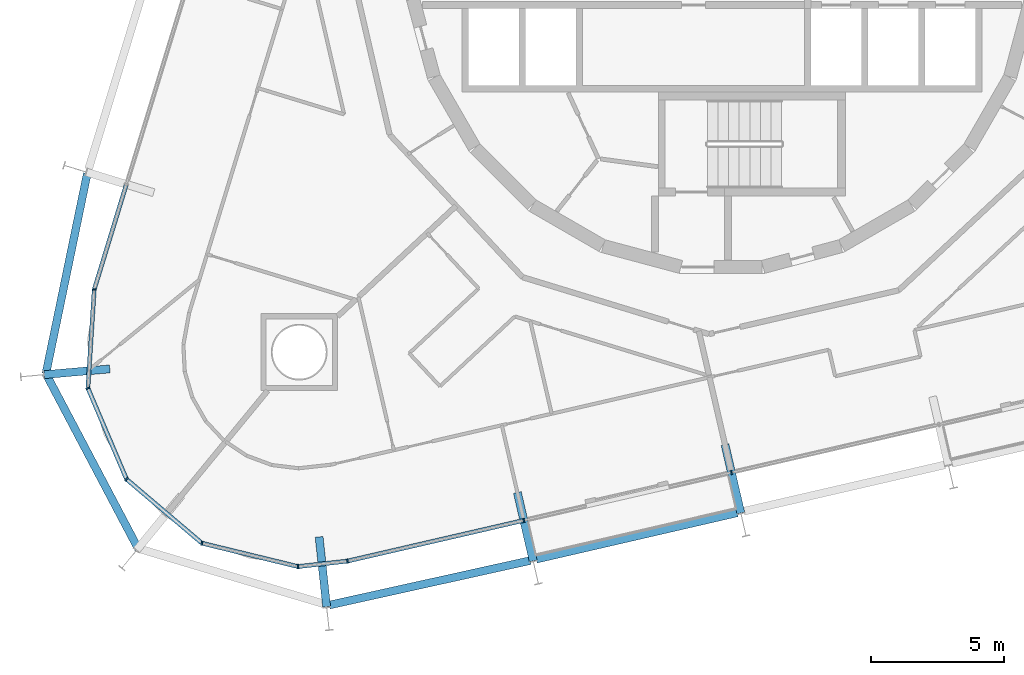
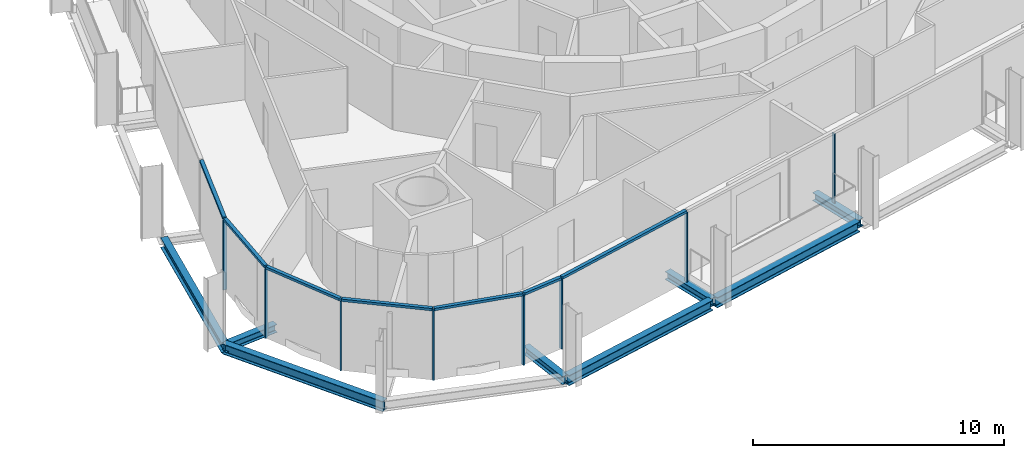
# One storey, part 3 of 18: 15 members, 8 beams, 2 elements without a shape of their own.
"""IFC4 building model written with IfcOpenShell, lengths in metres."""

import ifcopenshell
import ifcopenshell.guid

model = None  # the IFC model being written
_history = None  # IfcOwnerHistory: only IFC2X3 demands one
_inside = {}  # id of a spatial element -> (the spatial element, [elements in it])
_under = {}  # id of a project, library or spatial element -> (it, [spatial elements below it])
_declared = {}  # id of a project -> (the project, [libraries it declares])
_typed = {}  # id of a type object -> (the type object, [elements of that type])
_made_of = {}  # id of a material, layer set ... -> (it, [elements and type objects made of it])


def new_model(schema):
    """Start an empty IFC model of exactly this schema.

    Asked for "IFC4X3", IfcOpenShell would pick the latest addendum, in which some entities
    have other attributes; the version numbers below select the first issue.
    IFC2X3 requires an IfcOwnerHistory on every rooted entity: one is made here for all.
    """
    global model, _history
    if schema == "IFC4X3":
        model = ifcopenshell.file(schema_version=(4, 3, 0, 0))
    else:
        model = ifcopenshell.file(schema=schema)
    _inside.clear()
    _under.clear()
    _declared.clear()
    _typed.clear()
    _made_of.clear()
    _history = None
    if model.schema == "IFC2X3":
        org = make("IfcOrganization", Name="unknown")
        user = make(
            "IfcPersonAndOrganization",
            ThePerson=make("IfcPerson", FamilyName="unknown"),
            TheOrganization=org,
        )
        app = make(
            "IfcApplication",
            ApplicationDeveloper=org,
            Version="unknown",
            ApplicationFullName="unknown",
            ApplicationIdentifier="unknown",
        )
        _history = make(
            "IfcOwnerHistory",
            OwningUser=user,
            OwningApplication=app,
            ChangeAction="ADDED",
            CreationDate=0,
        )
    return model


def make(cls, **values):
    """One entity of the class cls with the attributes given. An attribute that is None is left unset."""
    return model.create_entity(
        cls, **{name: value for name, value in values.items() if value is not None}
    )


def rooted(cls, **values):
    """An entity with a GlobalId (a new one), such as an element, a storey or a relation."""
    return make(cls, GlobalId=ifcopenshell.guid.new(), OwnerHistory=_history, **values)


def si_unit(unit_type, name, prefix=None):
    """IfcSIUnit, for example si_unit("LENGTHUNIT", "METRE", prefix="MILLI")."""
    return make("IfcSIUnit", UnitType=unit_type, Prefix=prefix, Name=name)


def assignment(units):
    """IfcUnitAssignment: the units of a project."""
    return None if units is None else make("IfcUnitAssignment", Units=units)


def point(xyz):
    """IfcCartesianPoint."""
    return None if xyz is None else make("IfcCartesianPoint", Coordinates=xyz)


def direction(xyz):
    """IfcDirection."""
    return None if xyz is None else make("IfcDirection", DirectionRatios=xyz)


def frame(location, z_axis=None, x_axis=None):
    """IfcAxis2Placement3D, a coordinate frame: its origin and axes. An axis left out is left unset."""
    return make(
        "IfcAxis2Placement3D",
        Location=point(location),
        Axis=direction(z_axis),
        RefDirection=direction(x_axis),
    )


def frame_2d(location, x_axis=None):
    """IfcAxis2Placement2D, a coordinate frame in the plane: its origin and x axis."""
    return make(
        "IfcAxis2Placement2D", Location=point(location), RefDirection=direction(x_axis)
    )


def origin():
    """The frame at (0, 0, 0) with its axes left unset."""
    return frame((0.0, 0.0, 0.0))


def origin_2d():
    """The frame at (0, 0) in the plane with its x axis left unset."""
    return frame_2d((0.0, 0.0))


def place(relative_to, where):
    """IfcLocalPlacement: puts the frame where relative to a parent placement (None: the world)."""
    return make(
        "IfcLocalPlacement", PlacementRelTo=relative_to, RelativePlacement=where
    )


def context(
    kind, dimensions, precision=None, world=None, true_north=None, identifier=None
):
    """IfcGeometricRepresentationContext, for example the 3D "Model" context."""
    return make(
        "IfcGeometricRepresentationContext",
        ContextIdentifier=identifier,
        ContextType=kind,
        CoordinateSpaceDimension=dimensions,
        Precision=precision,
        WorldCoordinateSystem=world,
        TrueNorth=true_north,
    )


def subcontext(parent, identifier, kind, view, scale=None):
    """IfcGeometricRepresentationSubContext, for example "Body" below "Model"."""
    return make(
        "IfcGeometricRepresentationSubContext",
        ContextIdentifier=identifier,
        ContextType=kind,
        ParentContext=parent,
        TargetScale=scale,
        TargetView=view,
    )


def project(units=None, contexts=None):
    """IfcProject with its units and contexts."""
    return rooted(
        "IfcProject",
        Name="project",
        RepresentationContexts=contexts,
        UnitsInContext=assignment(units),
    )


def spatial(cls, under=None, at=None, **own):
    """A site, building, storey or space (cls), placed at a placement, below another one or the project."""
    s = rooted(cls, ObjectPlacement=at, **own)
    if under is not None:
        _under.setdefault(under.id(), (under, []))[1].append(s)
    return s


def profile(cls, at=None, kind="AREA", **sizes):
    """A parametric profile (cls). Its sizes go by their IFC names, for example OverallWidth=200.0."""
    return make(cls, ProfileType=kind, Position=at, **sizes)


def rectangle(**sizes):
    """IfcRectangleProfileDef."""
    return profile("IfcRectangleProfileDef", **sizes)


def i_section(**sizes):
    """IfcIShapeProfileDef."""
    return profile("IfcIShapeProfileDef", **sizes)


def extrude(swept, where, along, depth):
    """IfcExtrudedAreaSolid: the profile swept, set in the frame where, extruded along a direction by depth."""
    return make(
        "IfcExtrudedAreaSolid",
        SweptArea=swept,
        Position=where,
        ExtrudedDirection=direction(along),
        Depth=depth,
    )


def shape(context_of_items, identifier, shape_type, items):
    """IfcShapeRepresentation: the items that make up one representation, for example the "Body"."""
    return make(
        "IfcShapeRepresentation",
        ContextOfItems=context_of_items,
        RepresentationIdentifier=identifier,
        RepresentationType=shape_type,
        Items=items,
    )


def material(Name=None, Category=None):
    """IfcMaterial."""
    return make("IfcMaterial", Name=Name, Category=Category)


def layer(
    of_material, thickness, ventilated=None, Name=None, Category=None, Priority=None
):
    """IfcMaterialLayer: one layer of a wall or slab, of a material (None: an air gap)."""
    return make(
        "IfcMaterialLayer",
        Material=of_material,
        LayerThickness=thickness,
        IsVentilated=ventilated,
        Name=Name,
        Category=Category,
        Priority=Priority,
    )


def layer_set(layers, Name=None):
    """IfcMaterialLayerSet."""
    return make("IfcMaterialLayerSet", MaterialLayers=layers, LayerSetName=Name)


def material_profile(
    of_material, cross_section, Name=None, Category=None, Priority=None
):
    """IfcMaterialProfile: a cross section and its material."""
    return make(
        "IfcMaterialProfile",
        Name=Name,
        Material=of_material,
        Profile=cross_section,
        Priority=Priority,
        Category=Category,
    )


def profile_set(profiles, Name=None, composite=None):
    """IfcMaterialProfileSet."""
    return make(
        "IfcMaterialProfileSet",
        Name=Name,
        MaterialProfiles=profiles,
        CompositeProfile=composite,
    )


def made_of(thing, what):
    """Note that an element or type object is made of a material, layer set ...; save() writes the relation."""
    if what is not None:
        _made_of.setdefault(what.id(), (what, []))[1].append(thing)
    return thing


def type_object(cls, material=None, **own):
    """A type object (cls), such as IfcWallType, which elements share."""
    return made_of(rooted(cls, **own), material)


def element(
    cls,
    number,
    at=None,
    inside=None,
    cuts=None,
    type_object=None,
    material=None,
    context=None,
    identifier="Body",
    shape_type=None,
    held_by="IfcProductDefinitionShape",
    body=None,
    shapes=None,
    **own,
):
    """One element of the class cls, such as IfcWall. Its Tag is "e" and its number.

    at: its placement. inside: the storey or other place that contains it. cuts: it is an
    opening in that element (IfcRelVoidsElement). A single representation is given by context,
    identifier, shape_type and body (its items); several are given by shapes. held_by: the class
    of the entity that holds the representations. save() writes the other relations.
    """
    e = rooted(cls, Tag="e%d" % number, ObjectPlacement=at, **own)
    if body is not None:
        shapes = [shape(context, identifier, shape_type, body)]
    if shapes is not None:
        e.Representation = make(held_by, Representations=shapes)
    if inside is not None:
        _inside.setdefault(inside.id(), (inside, []))[1].append(e)
    if cuts is not None:
        rooted(
            "IfcRelVoidsElement", RelatingBuildingElement=cuts, RelatedOpeningElement=e
        )
    if type_object is not None:
        _typed.setdefault(type_object.id(), (type_object, []))[1].append(e)
    return made_of(e, material)


def aggregate(whole, parts):
    """IfcRelAggregates: a whole, such as a stair, and the parts it consists of."""
    return rooted("IfcRelAggregates", RelatingObject=whole, RelatedObjects=parts)


def save(model, path):
    """Write the relations noted so far, then the file.

    IfcRelAggregates (storeys below a building ...), IfcRelContainedInSpatialStructure (elements
    in a storey), IfcRelDefinesByType, IfcRelAssociatesMaterial and IfcRelDeclares: one each for
    every whole, place, type object, material and project.
    """
    for whole, parts in _under.values():
        aggregate(whole, parts)
    for where, things in _inside.values():
        rooted(
            "IfcRelContainedInSpatialStructure",
            RelatedElements=things,
            RelatingStructure=where,
        )
    for kind, things in _typed.values():
        rooted("IfcRelDefinesByType", RelatedObjects=things, RelatingType=kind)
    for what, things in _made_of.values():
        rooted("IfcRelAssociatesMaterial", RelatedObjects=things, RelatingMaterial=what)
    for by, libraries in _declared.values():
        rooted("IfcRelDeclares", RelatingContext=by, RelatedDefinitions=libraries)
    model.write(path)


model = new_model("IFC4")

# Units and contexts
model_context = context("Model", 3, precision=1e-05, world=origin(), true_north=direction((0.0, 1.0)))
body_context = subcontext(model_context, "Body", "Model", "MODEL_VIEW")
ifc_project = project(units=[si_unit("LENGTHUNIT", "METRE"), si_unit("AREAUNIT", "SQUARE_METRE"), si_unit("VOLUMEUNIT", "CUBIC_METRE"), si_unit("PLANEANGLEUNIT", "RADIAN"), si_unit("MASSUNIT", "GRAM", prefix="KILO")], contexts=[model_context])

# Site, building, storey
site_placement = place(None, origin())
site = spatial("IfcSite", under=ifc_project, at=site_placement, CompositionType="ELEMENT")
building_placement = place(site_placement, origin())
building = spatial("IfcBuilding", under=site, at=building_placement, Name="Spindle Arch Residences", CompositionType="ELEMENT")
storey_placement = place(building_placement, frame((0.0, 0.0, 134.39990234375)))
storey = spatial("IfcBuildingStorey", under=building, at=storey_placement, Name="L33", CompositionType="ELEMENT", Elevation=134.39990234375)

# Curtain wall, members
ifc_material_1 = material(Name="Aluminium bronze unitised frame with tinted glass", Category="aluminium")
ifc_layer_1 = layer(ifc_material_1, 0.159912109375)
ifc_layer_set_1 = layer_set([ifc_layer_1], Name="CW-D corner wall on the fillet arcs")
curtain_wall_type_1 = type_object("IfcCurtainWallType", Name="CW-D corner wall on the fillet arcs", PredefinedType="NOTDEFINED", material=ifc_layer_set_1)
curtain_wall_1_placement = place(storey_placement, origin())
curtain_wall_1 = element("IfcCurtainWall", 1, at=curtain_wall_1_placement, inside=storey, type_object=curtain_wall_type_1, Name="CW-D L33 run 5", PredefinedType="NOTDEFINED")
ifc_material_2 = material(Name="Aluminium bronze anodised mullion", Category="aluminium")
ifc_material_profile_1 = material_profile(ifc_material_2, rectangle(XDim=0.159912109375, YDim=0.06005859375, at=origin_2d()), Name="MU 60x160")
ifc_profile_set_1 = profile_set([ifc_material_profile_1], Name="Aluminium bronze anodised mullion")
member_type_1 = type_object("IfcMemberType", Name="Bronze mullion 60x160", PredefinedType="MULLION", material=ifc_profile_set_1)
member_1_placement = place(storey_placement, frame((-23.6572265625, -12.49267578125, -0.3798828125), z_axis=(0.0, 0.0, 1.0), x_axis=(0.997952993046, -0.063951729226, 0.0)))
member_1 = element("IfcMember", 2, at=member_1_placement, type_object=member_type_1, Name="CW-D mullion 01", PredefinedType="MULLION", context=body_context, shape_type="SweptSolid", body=[
    extrude(rectangle(XDim=0.159912109375, YDim=0.06005859375, at=origin_2d()), origin(), (0.0, 0.0, 1.0), 3.3798828125),
])
member_2_placement = place(storey_placement, frame((-23.8955078125, -16.2119140625, -0.3798828125), z_axis=(0.0, 0.0, 1.0), x_axis=(0.920504854032, 0.390731127124, 0.0)))
member_2 = element("IfcMember", 3, at=member_2_placement, type_object=member_type_1, Name="CW-D mullion 02", PredefinedType="MULLION", context=body_context, shape_type="SweptSolid", body=[
    extrude(rectangle(XDim=0.159912109375, YDim=0.06005859375, at=origin_2d()), origin(), (0.0, 0.0, 1.0), 3.3798828125),
])
member_3_placement = place(storey_placement, frame((-22.439208984375, -19.642333984375, -0.3798828125), z_axis=(0.0, 0.0, 1.0), x_axis=(0.647233374321, 0.762291912042, 0.0)))
member_3 = element("IfcMember", 4, at=member_3_placement, type_object=member_type_1, Name="CW-D mullion 03", PredefinedType="MULLION", context=body_context, shape_type="SweptSolid", body=[
    extrude(rectangle(XDim=0.159912109375, YDim=0.06005859375, at=origin_2d()), origin(), (0.0, 0.0, 1.0), 3.3798828125),
])
member_4_placement = place(storey_placement, frame((-19.598388671875, -22.054443359375, -0.3798828125), z_axis=(0.0, 0.0, 1.0), x_axis=(0.23627288281, 0.971686742139, 0.0)))
member_4 = element("IfcMember", 5, at=member_4_placement, type_object=member_type_1, Name="CW-D mullion 04", PredefinedType="MULLION", context=body_context, shape_type="SweptSolid", body=[
    extrude(rectangle(XDim=0.159912109375, YDim=0.06005859375, at=origin_2d()), origin(), (0.0, 0.0, 1.0), 3.3798828125),
])
member_5_placement = place(storey_placement, frame((-15.977294921875, -22.93505859375, -0.3798828125), z_axis=(0.0, 0.0, 1.0), x_axis=(-0.110312554381, 0.993896946542, 0.0)))
member_5 = element("IfcMember", 6, at=member_5_placement, type_object=member_type_1, Name="CW-D mullion 05", PredefinedType="MULLION", context=body_context, shape_type="SweptSolid", body=[
    extrude(rectangle(XDim=0.159912109375, YDim=0.06005859375, at=origin_2d()), origin(), (0.0, 0.0, 1.0), 3.3798828125),
])
member_6_placement = place(storey_placement, frame((-14.112548828125, -22.72802734375, -0.3798828125), z_axis=(0.0, 0.0, 1.0), x_axis=(-0.224951054344, 0.974370064785, 0.0)))
member_6 = element("IfcMember", 7, at=member_6_placement, type_object=member_type_1, Name="CW-D mullion 06", PredefinedType="MULLION", context=body_context, shape_type="SweptSolid", body=[
    extrude(rectangle(XDim=0.159912109375, YDim=0.06005859375, at=origin_2d()), origin(), (0.0, 0.0, 1.0), 3.3798828125),
])

ifc_material_3 = material(Name="Aluminium bronze unitised frame with tinted glass", Category="aluminium")
ifc_layer_2 = layer(ifc_material_3, 0.159912109375)
ifc_layer_set_2 = layer_set([ifc_layer_2], Name="CW-C typical residential unitised wall")
curtain_wall_type_2 = type_object("IfcCurtainWallType", Name="CW-C typical residential unitised wall", PredefinedType="NOTDEFINED", material=ifc_layer_set_2)
curtain_wall_2_placement = place(storey_placement, origin())
curtain_wall_2 = element("IfcCurtainWall", 8, at=curtain_wall_2_placement, inside=storey, type_object=curtain_wall_type_2, Name="CW-C L33 run 6", PredefinedType="NOTDEFINED")
member_7_placement = place(storey_placement, frame((-7.467529296875, -21.19384765625, -0.3798828125), z_axis=(0.0, 0.0, 1.0), x_axis=(-0.224951054344, 0.974370064785, 0.0)))
member_7 = element("IfcMember", 9, at=member_7_placement, type_object=member_type_1, Name="CW-C mullion 20", PredefinedType="MULLION", context=body_context, shape_type="SweptSolid", body=[
    extrude(rectangle(XDim=0.159912109375, YDim=0.06005859375, at=origin_2d()), origin(), (0.0, 0.0, 1.0), 3.3798828125),
])
member_8_placement = place(storey_placement, frame((0.355712890625, -19.3876953125, -0.3798828125), z_axis=(0.0, 0.0, 1.0), x_axis=(-0.224951054344, 0.974370064785, 0.0)))
member_8 = element("IfcMember", 10, at=member_8_placement, type_object=member_type_1, Name="CW-C mullion 21", PredefinedType="MULLION", context=body_context, shape_type="SweptSolid", body=[
    extrude(rectangle(XDim=0.159912109375, YDim=0.06005859375, at=origin_2d()), origin(), (0.0, 0.0, 1.0), 3.3798828125),
])
aggregate(curtain_wall_2, [member_7, member_8])

# Member
ifc_material_4 = material(Name="Aluminium bronze anodised transom", Category="aluminium")
ifc_material_profile_2 = material_profile(ifc_material_4, rectangle(XDim=0.159912109375, YDim=0.1201171875, at=origin_2d()), Name="TR 120x160")
ifc_profile_set_2 = profile_set([ifc_material_profile_2], Name="Aluminium bronze anodised transom")
member_type_2 = type_object("IfcMemberType", Name="Bronze transom 120x160", PredefinedType="USERDEFINED", material=ifc_profile_set_2)
member_9_placement = place(storey_placement, frame((-22.45458984375, -8.55908203125, 3.06005859375), z_axis=(-0.292362833345, -0.95630746817, 0.0), x_axis=(0.95630746817, -0.292362833345, 0.0)))
member_9 = element("IfcMember", 11, at=member_9_placement, type_object=member_type_2, Name="CW-D transom 00", ObjectType="TRANSOM", PredefinedType="USERDEFINED", context=body_context, shape_type="SweptSolid", body=[
    extrude(rectangle(XDim=0.159912109375, YDim=0.1201171875, at=origin_2d()), origin(), (0.0, 0.0, 1.0), 4.08349609375),
])

member_10_placement = place(storey_placement, frame((-23.6591796875, -12.522705078125, 3.06005859375), z_axis=(-0.063920256807, -0.997955009392, 0.0), x_axis=(0.997955009392, -0.063920256807, 0.0)))
member_10 = element("IfcMember", 12, at=member_10_placement, type_object=member_type_2, Name="CW-D transom 01", ObjectType="TRANSOM", PredefinedType="USERDEFINED", context=body_context, shape_type="SweptSolid", body=[
    extrude(rectangle(XDim=0.159912109375, YDim=0.1201171875, at=origin_2d()), origin(), (0.0, 0.0, 1.0), 3.666748046875),
])

member_11_placement = place(storey_placement, frame((-23.8837890625, -16.239501953125, 3.06005859375), z_axis=(0.39076699022, -0.920489630226, 0.0), x_axis=(0.920489630226, 0.39076699022, 0.0)))
member_11 = element("IfcMember", 13, at=member_11_placement, type_object=member_type_2, Name="CW-D transom 02", ObjectType="TRANSOM", PredefinedType="USERDEFINED", context=body_context, shape_type="SweptSolid", body=[
    extrude(rectangle(XDim=0.159912109375, YDim=0.1201171875, at=origin_2d()), origin(), (0.0, 0.0, 1.0), 3.666748046875),
])

member_12_placement = place(storey_placement, frame((-22.41650390625, -19.661865234375, 3.06005859375), z_axis=(0.762289120673, -0.647236661897, 0.0), x_axis=(0.647236661897, 0.762289120673, 0.0)))
member_12 = element("IfcMember", 14, at=member_12_placement, type_object=member_type_2, Name="CW-D transom 03", ObjectType="TRANSOM", PredefinedType="USERDEFINED", context=body_context, shape_type="SweptSolid", body=[
    extrude(rectangle(XDim=0.159912109375, YDim=0.1201171875, at=origin_2d()), origin(), (0.0, 0.0, 1.0), 3.666748046875),
])

member_13_placement = place(storey_placement, frame((-19.5693359375, -22.0615234375, 3.06005859375), z_axis=(0.971681239144, -0.236295513068, 0.0), x_axis=(0.236295513068, 0.971681239144, 0.0)))
member_13 = element("IfcMember", 15, at=member_13_placement, type_object=member_type_2, Name="CW-D transom 04", ObjectType="TRANSOM", PredefinedType="USERDEFINED", context=body_context, shape_type="SweptSolid", body=[
    extrude(rectangle(XDim=0.159912109375, YDim=0.1201171875, at=origin_2d()), origin(), (0.0, 0.0, 1.0), 3.666748046875),
])

member_14_placement = place(storey_placement, frame((-15.947509765625, -22.931640625, 3.06005859375), z_axis=(0.993906663087, 0.110224974808, 0.0), x_axis=(-0.110224974808, 0.993906663087, 0.0)))
member_14 = element("IfcMember", 16, at=member_14_placement, type_object=member_type_2, Name="CW-D transom 05", ObjectType="TRANSOM", PredefinedType="USERDEFINED", context=body_context, shape_type="SweptSolid", body=[
    extrude(rectangle(XDim=0.159912109375, YDim=0.1201171875, at=origin_2d()), origin(), (0.0, 0.0, 1.0), 1.816162109375),
])

member_15_placement = place(storey_placement, frame((-14.083251953125, -22.721435546875, 3.06005859375), z_axis=(0.974365014398, 0.224972928856, 0.0), x_axis=(-0.224972928856, 0.974365014398, 0.0)))
member_15 = element("IfcMember", 17, at=member_15_placement, type_object=member_type_2, Name="CW-D transom 06", ObjectType="TRANSOM", PredefinedType="USERDEFINED", context=body_context, shape_type="SweptSolid", body=[
    extrude(rectangle(XDim=0.159912109375, YDim=0.1201171875, at=origin_2d()), origin(), (0.0, 0.0, 1.0), 6.759765625),
])

aggregate(curtain_wall_1, [member_9, member_1, member_10, member_2, member_11, member_3, member_12, member_4, member_13, member_5, member_14, member_6, member_15])

# Beams
ifc_material_5 = material(Name="Steel S460ML, intumescent coating R 120", Category="steel")
ifc_material_profile_3 = material_profile(ifc_material_5, i_section(OverallWidth=0.300048828125, OverallDepth=0.5, WebThickness=0.014404296875, FlangeThickness=0.028076171875, FilletRadius=0.027099609375, at=origin_2d()), Name="HEB 500")
ifc_profile_set_3 = profile_set([ifc_material_profile_3], Name="Steel S460ML, intumescent coating R 120")
beam_type_1 = type_object("IfcBeamType", Name="Exoskeleton edge beam HEB 500", PredefinedType="BEAM", material=ifc_profile_set_3)
beam_1_placement = place(storey_placement, frame((-23.91650390625, -8.1181640625, -0.6298828125), z_axis=(-0.202483065161, -0.979285764383, 0.0), x_axis=(0.979285764383, -0.202483065161, 0.0)))
element("IfcBeam", 18, at=beam_1_placement, inside=storey, type_object=beam_type_1, Name="Exoskeleton edge beam 17", PredefinedType="BEAM", context=body_context, shape_type="SweptSolid", body=[
    extrude(i_section(OverallWidth=0.300048828125, OverallDepth=0.5, WebThickness=0.014404296875, FlangeThickness=0.028076171875, FilletRadius=0.027099609375, at=origin_2d()), origin(), (0.0, 0.0, 1.0), 7.708251953125),
])
beam_2_placement = place(storey_placement, frame((-25.4970703125, -15.62939453125, -0.6298828125), z_axis=(0.466652663296, -0.884440666093, 0.0), x_axis=(0.884440666093, 0.466652663296, 0.0)))
element("IfcBeam", 19, at=beam_2_placement, inside=storey, type_object=beam_type_1, Name="Exoskeleton edge beam 18", PredefinedType="BEAM", context=body_context, shape_type="SweptSolid", body=[
    extrude(i_section(OverallWidth=0.300048828125, OverallDepth=0.5, WebThickness=0.014404296875, FlangeThickness=0.028076171875, FilletRadius=0.027099609375, at=origin_2d()), origin(), (0.0, 0.0, 1.0), 7.559326171875),
])
beam_3_placement = place(storey_placement, frame((-14.804443359375, -24.385986328125, -0.6298828125), z_axis=(0.97635466486, 0.216174856093, 0.0), x_axis=(-0.216174856093, 0.97635466486, 0.0)))
element("IfcBeam", 20, at=beam_3_placement, inside=storey, type_object=beam_type_1, Name="Exoskeleton edge beam 20", PredefinedType="BEAM", context=body_context, shape_type="SweptSolid", body=[
    extrude(i_section(OverallWidth=0.300048828125, OverallDepth=0.5, WebThickness=0.014404296875, FlangeThickness=0.028076171875, FilletRadius=0.027099609375, at=origin_2d()), origin(), (0.0, 0.0, 1.0), 7.7666015625),
])
beam_4_placement = place(storey_placement, frame((-6.99658203125, -22.655517578125, -0.6298828125), z_axis=(0.974365237053, 0.224971964525, 0.0), x_axis=(-0.224971964525, 0.974365237053, 0.0)))
element("IfcBeam", 21, at=beam_4_placement, inside=storey, type_object=beam_type_1, Name="Exoskeleton edge beam 21", PredefinedType="BEAM", context=body_context, shape_type="SweptSolid", body=[
    extrude(i_section(OverallWidth=0.300048828125, OverallDepth=0.5, WebThickness=0.014404296875, FlangeThickness=0.028076171875, FilletRadius=0.027099609375, at=origin_2d()), origin(), (0.0, 0.0, 1.0), 7.76904296875),
])
ifc_material_6 = material(Name="Steel S460ML, intumescent coating R 120", Category="steel")
ifc_material_profile_4 = material_profile(ifc_material_6, i_section(OverallWidth=0.300048828125, OverallDepth=0.389892578125, WebThickness=0.010986328125, FlangeThickness=0.01904296875, FilletRadius=0.027099609375, at=origin_2d()), Name="HEA 400")
ifc_profile_set_4 = profile_set([ifc_material_profile_4], Name="Steel S460ML, intumescent coating R 120")
beam_type_2 = type_object("IfcBeamType", Name="Floor outrigger HEA 400", PredefinedType="BEAM", material=ifc_profile_set_4)
beam_5_placement = place(storey_placement, frame((-25.542724609375, -15.703369140625, -0.574951171875), z_axis=(0.996132127572, 0.087867994282, 0.0), x_axis=(-0.087867994282, 0.996132127572, 0.0)))
element("IfcBeam", 22, at=beam_5_placement, inside=storey, type_object=beam_type_2, Name="Floor outrigger 18", PredefinedType="BEAM", context=body_context, shape_type="SweptSolid", body=[
    extrude(i_section(OverallWidth=0.300048828125, OverallDepth=0.389892578125, WebThickness=0.010986328125, FlangeThickness=0.01904296875, FilletRadius=0.027099609375, at=origin_2d()), origin(), (0.0, 0.0, 1.0), 2.48388671875),
])
for number, where, z_axis, x_axis, name in (
    (23, (-14.898193359375, -24.44970703125, -0.574951171875), (-0.106962509845, 0.994263054472, 0.0), (-0.994263054472, -0.106962509845, 0.0), "Floor outrigger 20"),
    (24, (-7.1142578125, -22.7236328125, -0.574951171875), (-0.224980619228, 0.974363238721, 0.0), (-0.974363238721, -0.224980619228, 0.0), "Floor outrigger 21"),
    (25, (0.708984375, -20.91748046875, -0.574951171875), (-0.224980619228, 0.974363238721, 0.0), (-0.974363238721, -0.224980619228, 0.0), "Floor outrigger 22"),
):
    element("IfcBeam", number, at=place(storey_placement, frame(where, z_axis=z_axis, x_axis=x_axis)), inside=storey, type_object=beam_type_2, Name=name, PredefinedType="BEAM", context=body_context, shape_type="SweptSolid", body=[
        extrude(i_section(OverallWidth=0.300048828125, OverallDepth=0.389892578125, WebThickness=0.010986328125, FlangeThickness=0.01904296875, FilletRadius=0.027099609375, at=origin_2d()), origin(), (0.0, 0.0, 1.0), 2.64990234375),
    ])

save(model, "model.ifc")
